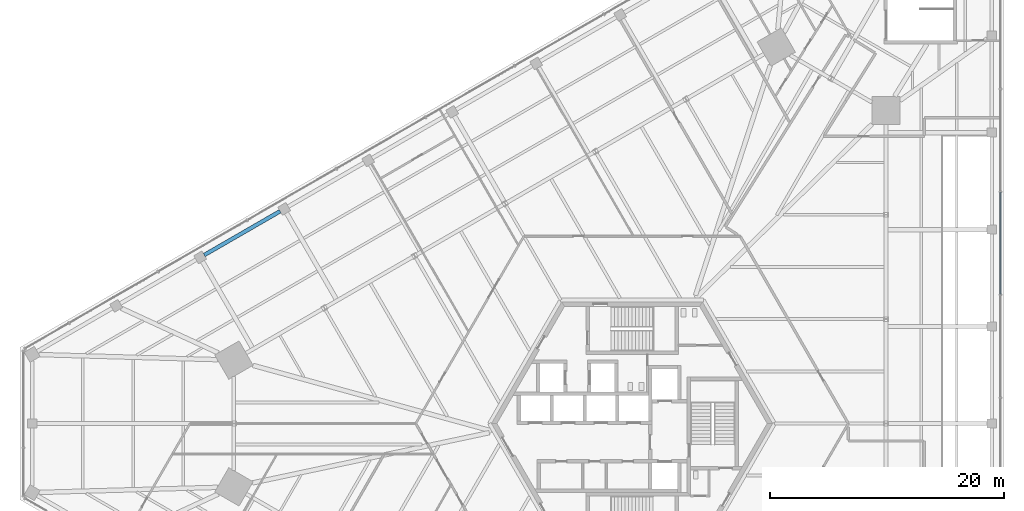
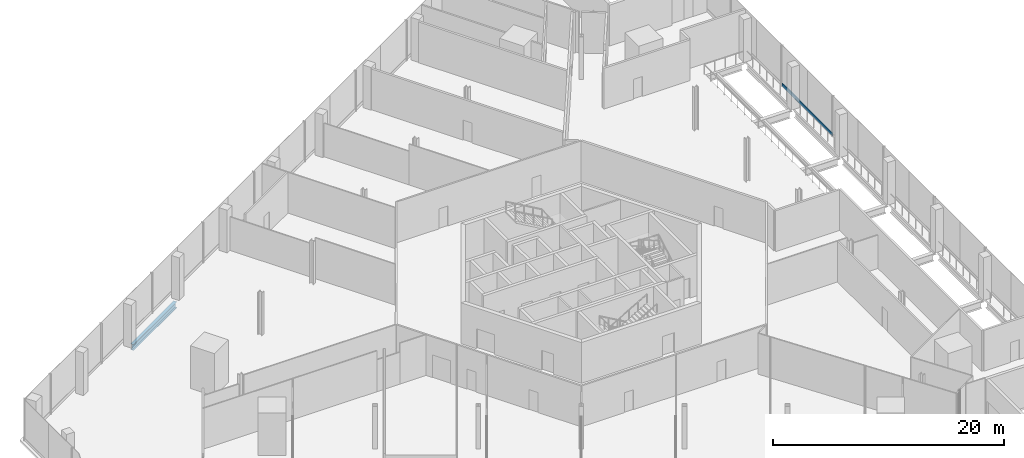
# One storey, part 12 of 25: 1 beam, 1 member, 1 element without a shape of its own.
"""IFC4 building model written with IfcOpenShell, lengths in metres."""

from ifc_helpers import new_model, si_unit, direction, frame, origin, origin_2d, place, context, subcontext, project, spatial, rectangle, i_section, extrude, source, transform, mapped, material, material_profile, profile_set, type_object, element, aggregate, save


model = new_model("IFC4")

# Units and contexts
model_context = context("Model", 3, precision=1e-05, world=origin(), true_north=direction((0.0, 1.0)))
body_context = subcontext(model_context, "Body", "Model", "MODEL_VIEW")
ifc_project = project(units=[si_unit("LENGTHUNIT", "METRE"), si_unit("AREAUNIT", "SQUARE_METRE"), si_unit("VOLUMEUNIT", "CUBIC_METRE"), si_unit("PLANEANGLEUNIT", "RADIAN"), si_unit("MASSUNIT", "GRAM", prefix="KILO")], contexts=[model_context])

# Site, building, storey
site_placement = place(None, origin())
site = spatial("IfcSite", under=ifc_project, at=site_placement, CompositionType="ELEMENT")
building_placement = place(site_placement, origin())
building = spatial("IfcBuilding", under=site, at=building_placement, Name="Triune Harvest Tower", CompositionType="ELEMENT")
storey_placement = place(building_placement, frame((0.0, 0.0, 11.5)))
storey = spatial("IfcBuildingStorey", under=building, at=storey_placement, Name="L02", CompositionType="ELEMENT", Elevation=11.5)

# Beam
ifc_material_1 = material(Name="Steel ASTM A992 Gr 50", Category="steel")
ifc_material_profile_1 = material_profile(ifc_material_1, i_section(OverallWidth=0.32763671875, OverallDepth=0.62744140625, WebThickness=0.0166015625, FlangeThickness=0.027587890625, at=origin_2d()), Name="W24x146")
ifc_profile_set_1 = profile_set([ifc_material_profile_1], Name="Steel ASTM A992 Gr 50")
beam_type = type_object("IfcBeamType", Name="PD-4 Podium edge beam W24x146", PredefinedType="BEAM", material=ifc_profile_set_1)
shared_shape_1 = source(origin(), body_context, "Body", "SweptSolid", [
    extrude(i_section(OverallWidth=0.32763671875, OverallDepth=0.62744140625, WebThickness=0.0166015625, FlangeThickness=0.027587890625, at=origin_2d()), origin(), (0.0, 0.0, 1.0), 7.47998046875),
])
beam_placement = place(storey_placement, frame((-30.04541015625, 18.1201171875, -0.513671875), z_axis=(-0.866008933936, -0.50002852553, 0.0), x_axis=(0.50002852553, -0.866008933936, 0.0)))
element("IfcBeam", 1, at=beam_placement, inside=storey, type_object=beam_type, Name="beam/L02/PE21", PredefinedType="BEAM", context=body_context, shape_type="MappedRepresentation", body=[
    mapped(shared_shape_1, transform((0.0, 0.0, 0.0), scale=1.0)),
])

# Curtain wall, member
ifc_material_2 = material(Name="Aluminium bronze anodised", Category="aluminium")
curtain_wall_type = type_object("IfcCurtainWallType", Name="CW-2 Podium shopfront wall", PredefinedType="NOTDEFINED", material=ifc_material_2)
curtain_wall_placement = place(storey_placement, origin())
curtain_wall = element("IfcCurtainWall", 2, at=curtain_wall_placement, inside=storey, type_object=curtain_wall_type, Name="CW-2 PD-F1 L02 run 1")
ifc_material_3 = material(Name="Aluminium bronze anodised", Category="aluminium")
ifc_material_profile_2 = material_profile(ifc_material_3, rectangle(XDim=0.10009765625, YDim=0.300048828125, at=origin_2d()), Name="TR-2 transom 100 x 300")
ifc_profile_set_2 = profile_set([ifc_material_profile_2], Name="Aluminium bronze anodised")
member_type = type_object("IfcMemberType", Name="TR-2 transom 100 x 300", PredefinedType="USERDEFINED", material=ifc_profile_set_2)
shared_shape_2 = source(origin(), body_context, "Body", "SweptSolid", [
    extrude(rectangle(XDim=0.10009765625, YDim=0.300048828125, at=origin_2d()), origin(), (0.0, 0.0, 1.0), 8.69677734375),
])
member_placement = place(storey_placement, frame((31.454345703125, 11.0283203125, 0.14990234375), z_axis=(0.0, 1.0, 0.0), x_axis=(-1.0, 0.0, 0.0)))
member = element("IfcMember", 3, at=member_placement, type_object=member_type, Name="CW-2 transom PD-F1 1.7", ObjectType="TRANSOM", PredefinedType="USERDEFINED", context=body_context, shape_type="MappedRepresentation", body=[
    mapped(shared_shape_2, transform((0.0, 0.0, 0.0), scale=1.0)),
])
aggregate(curtain_wall, [member])

save(model, "model.ifc")
